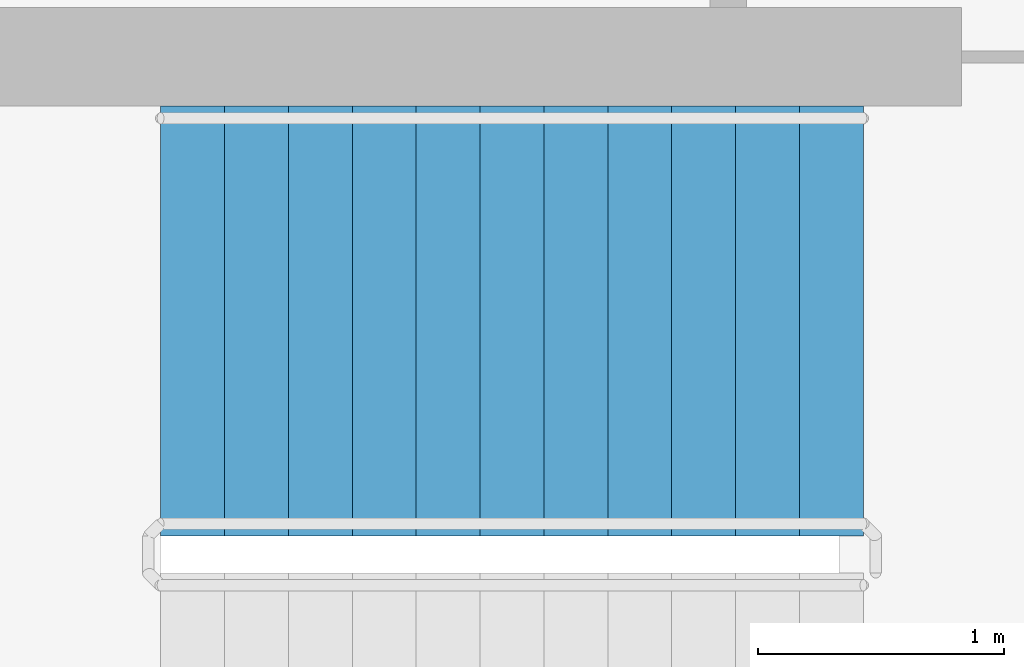
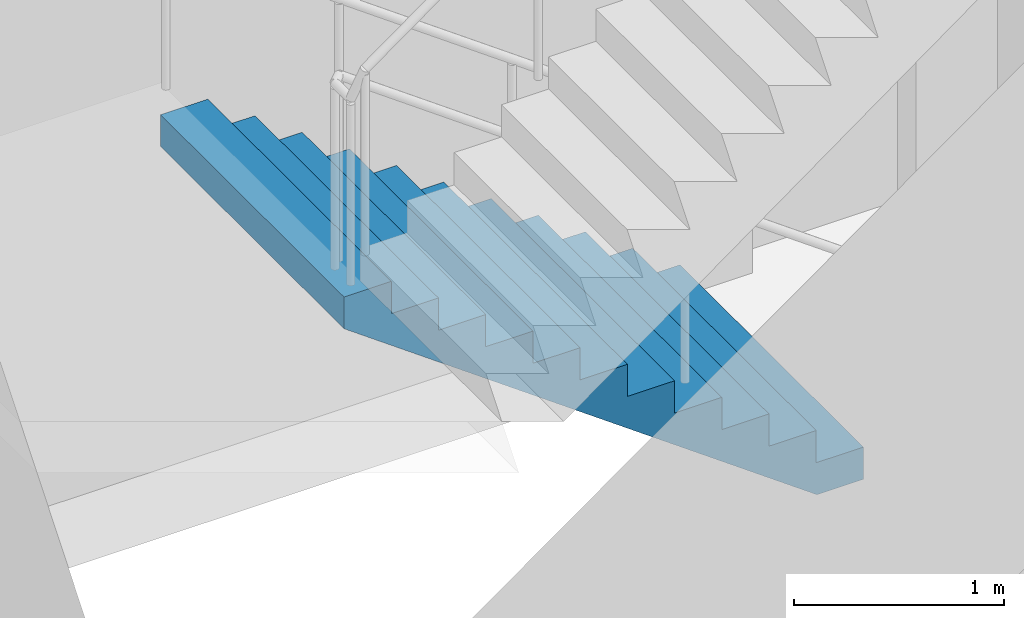
# One storey, part 32 of 51: 1 stair flight, 1 element without a shape of its own.
"""IFC4 building model written with IfcOpenShell, lengths in metres."""

import ifcopenshell
import ifcopenshell.guid

model = None  # the IFC model being written
_history = None  # IfcOwnerHistory: only IFC2X3 demands one
_inside = {}  # id of a spatial element -> (the spatial element, [elements in it])
_under = {}  # id of a project, library or spatial element -> (it, [spatial elements below it])
_declared = {}  # id of a project -> (the project, [libraries it declares])
_typed = {}  # id of a type object -> (the type object, [elements of that type])
_made_of = {}  # id of a material, layer set ... -> (it, [elements and type objects made of it])


def new_model(schema):
    """Start an empty IFC model of exactly this schema.

    Asked for "IFC4X3", IfcOpenShell would pick the latest addendum, in which some entities
    have other attributes; the version numbers below select the first issue.
    IFC2X3 requires an IfcOwnerHistory on every rooted entity: one is made here for all.
    """
    global model, _history
    if schema == "IFC4X3":
        model = ifcopenshell.file(schema_version=(4, 3, 0, 0))
    else:
        model = ifcopenshell.file(schema=schema)
    _inside.clear()
    _under.clear()
    _declared.clear()
    _typed.clear()
    _made_of.clear()
    _history = None
    if model.schema == "IFC2X3":
        org = make("IfcOrganization", Name="unknown")
        user = make(
            "IfcPersonAndOrganization",
            ThePerson=make("IfcPerson", FamilyName="unknown"),
            TheOrganization=org,
        )
        app = make(
            "IfcApplication",
            ApplicationDeveloper=org,
            Version="unknown",
            ApplicationFullName="unknown",
            ApplicationIdentifier="unknown",
        )
        _history = make(
            "IfcOwnerHistory",
            OwningUser=user,
            OwningApplication=app,
            ChangeAction="ADDED",
            CreationDate=0,
        )
    return model


def make(cls, **values):
    """One entity of the class cls with the attributes given. An attribute that is None is left unset."""
    return model.create_entity(
        cls, **{name: value for name, value in values.items() if value is not None}
    )


def rooted(cls, **values):
    """An entity with a GlobalId (a new one), such as an element, a storey or a relation."""
    return make(cls, GlobalId=ifcopenshell.guid.new(), OwnerHistory=_history, **values)


def si_unit(unit_type, name, prefix=None):
    """IfcSIUnit, for example si_unit("LENGTHUNIT", "METRE", prefix="MILLI")."""
    return make("IfcSIUnit", UnitType=unit_type, Prefix=prefix, Name=name)


def assignment(units):
    """IfcUnitAssignment: the units of a project."""
    return None if units is None else make("IfcUnitAssignment", Units=units)


def point(xyz):
    """IfcCartesianPoint."""
    return None if xyz is None else make("IfcCartesianPoint", Coordinates=xyz)


def direction(xyz):
    """IfcDirection."""
    return None if xyz is None else make("IfcDirection", DirectionRatios=xyz)


def frame(location, z_axis=None, x_axis=None):
    """IfcAxis2Placement3D, a coordinate frame: its origin and axes. An axis left out is left unset."""
    return make(
        "IfcAxis2Placement3D",
        Location=point(location),
        Axis=direction(z_axis),
        RefDirection=direction(x_axis),
    )


def origin():
    """The frame at (0, 0, 0) with its axes left unset."""
    return frame((0.0, 0.0, 0.0))


def place(relative_to, where):
    """IfcLocalPlacement: puts the frame where relative to a parent placement (None: the world)."""
    return make(
        "IfcLocalPlacement", PlacementRelTo=relative_to, RelativePlacement=where
    )


def context(
    kind, dimensions, precision=None, world=None, true_north=None, identifier=None
):
    """IfcGeometricRepresentationContext, for example the 3D "Model" context."""
    return make(
        "IfcGeometricRepresentationContext",
        ContextIdentifier=identifier,
        ContextType=kind,
        CoordinateSpaceDimension=dimensions,
        Precision=precision,
        WorldCoordinateSystem=world,
        TrueNorth=true_north,
    )


def subcontext(parent, identifier, kind, view, scale=None):
    """IfcGeometricRepresentationSubContext, for example "Body" below "Model"."""
    return make(
        "IfcGeometricRepresentationSubContext",
        ContextIdentifier=identifier,
        ContextType=kind,
        ParentContext=parent,
        TargetScale=scale,
        TargetView=view,
    )


def project(units=None, contexts=None):
    """IfcProject with its units and contexts."""
    return rooted(
        "IfcProject",
        Name="project",
        RepresentationContexts=contexts,
        UnitsInContext=assignment(units),
    )


def spatial(cls, under=None, at=None, **own):
    """A site, building, storey or space (cls), placed at a placement, below another one or the project."""
    s = rooted(cls, ObjectPlacement=at, **own)
    if under is not None:
        _under.setdefault(under.id(), (under, []))[1].append(s)
    return s


def faces_of(points, faces, orient=None, outer=None):
    """IfcFace entities. A face is a list of loops; a loop is a list of indices into points, from 0.

    orient and outer hold one flag for each loop. By default every Orientation is true, the
    first loop of a face is its IfcFaceOuterBound and the others are IfcFaceBound.
    """
    made = []
    for i, loops in enumerate(faces):
        bounds = []
        for j, loop in enumerate(loops):
            is_outer = j == 0 if outer is None else outer[i][j]
            bounds.append(
                make(
                    "IfcFaceOuterBound" if is_outer else "IfcFaceBound",
                    Bound=make("IfcPolyLoop", Polygon=[points[k] for k in loop]),
                    Orientation=True if orient is None else orient[i][j],
                )
            )
        made.append(make("IfcFace", Bounds=bounds))
    return made


def faceted_brep(points, faces, orient=None, outer=None, voids=None):
    """IfcFacetedBrep: a solid bounded by flat faces; with voids (closed shells), ...WithVoids."""
    shared = [point(p) for p in points]
    hull = make("IfcClosedShell", CfsFaces=faces_of(shared, faces, orient, outer))
    if voids is None:
        return make("IfcFacetedBrep", Outer=hull)
    return make(
        "IfcFacetedBrepWithVoids",
        Outer=hull,
        Voids=[
            make(cls, CfsFaces=faces_of(shared, fs, o, b)) for cls, fs, o, b in voids
        ],
    )


def shape(context_of_items, identifier, shape_type, items):
    """IfcShapeRepresentation: the items that make up one representation, for example the "Body"."""
    return make(
        "IfcShapeRepresentation",
        ContextOfItems=context_of_items,
        RepresentationIdentifier=identifier,
        RepresentationType=shape_type,
        Items=items,
    )


def material(Name=None, Category=None):
    """IfcMaterial."""
    return make("IfcMaterial", Name=Name, Category=Category)


def made_of(thing, what):
    """Note that an element or type object is made of a material, layer set ...; save() writes the relation."""
    if what is not None:
        _made_of.setdefault(what.id(), (what, []))[1].append(thing)
    return thing


def type_object(cls, material=None, **own):
    """A type object (cls), such as IfcWallType, which elements share."""
    return made_of(rooted(cls, **own), material)


def element(
    cls,
    number,
    at=None,
    inside=None,
    cuts=None,
    type_object=None,
    material=None,
    context=None,
    identifier="Body",
    shape_type=None,
    held_by="IfcProductDefinitionShape",
    body=None,
    shapes=None,
    **own,
):
    """One element of the class cls, such as IfcWall. Its Tag is "e" and its number.

    at: its placement. inside: the storey or other place that contains it. cuts: it is an
    opening in that element (IfcRelVoidsElement). A single representation is given by context,
    identifier, shape_type and body (its items); several are given by shapes. held_by: the class
    of the entity that holds the representations. save() writes the other relations.
    """
    e = rooted(cls, Tag="e%d" % number, ObjectPlacement=at, **own)
    if body is not None:
        shapes = [shape(context, identifier, shape_type, body)]
    if shapes is not None:
        e.Representation = make(held_by, Representations=shapes)
    if inside is not None:
        _inside.setdefault(inside.id(), (inside, []))[1].append(e)
    if cuts is not None:
        rooted(
            "IfcRelVoidsElement", RelatingBuildingElement=cuts, RelatedOpeningElement=e
        )
    if type_object is not None:
        _typed.setdefault(type_object.id(), (type_object, []))[1].append(e)
    return made_of(e, material)


def aggregate(whole, parts):
    """IfcRelAggregates: a whole, such as a stair, and the parts it consists of."""
    return rooted("IfcRelAggregates", RelatingObject=whole, RelatedObjects=parts)


def save(model, path):
    """Write the relations noted so far, then the file.

    IfcRelAggregates (storeys below a building ...), IfcRelContainedInSpatialStructure (elements
    in a storey), IfcRelDefinesByType, IfcRelAssociatesMaterial and IfcRelDeclares: one each for
    every whole, place, type object, material and project.
    """
    for whole, parts in _under.values():
        aggregate(whole, parts)
    for where, things in _inside.values():
        rooted(
            "IfcRelContainedInSpatialStructure",
            RelatedElements=things,
            RelatingStructure=where,
        )
    for kind, things in _typed.values():
        rooted("IfcRelDefinesByType", RelatedObjects=things, RelatingType=kind)
    for what, things in _made_of.values():
        rooted("IfcRelAssociatesMaterial", RelatedObjects=things, RelatingMaterial=what)
    for by, libraries in _declared.values():
        rooted("IfcRelDeclares", RelatingContext=by, RelatedDefinitions=libraries)
    model.write(path)


model = new_model("IFC4")

# Units and contexts
model_context = context("Model", 3, precision=1e-05, world=origin(), true_north=direction((0.0, 1.0)))
body_context = subcontext(model_context, "Body", "Model", "MODEL_VIEW")
ifc_project = project(units=[si_unit("LENGTHUNIT", "METRE"), si_unit("AREAUNIT", "SQUARE_METRE"), si_unit("VOLUMEUNIT", "CUBIC_METRE"), si_unit("PLANEANGLEUNIT", "RADIAN"), si_unit("MASSUNIT", "GRAM", prefix="KILO")], contexts=[model_context])

# Site, building, storey
site_placement = place(None, origin())
site = spatial("IfcSite", under=ifc_project, at=site_placement, CompositionType="ELEMENT")
building_placement = place(site_placement, origin())
building = spatial("IfcBuilding", under=site, at=building_placement, Name="Ipe Terrace Towers", CompositionType="ELEMENT")
storey_placement = place(building_placement, frame((0.0, 0.0, 15.5)))
storey = spatial("IfcBuildingStorey", under=building, at=storey_placement, Name="L03", CompositionType="ELEMENT", Elevation=15.5)

# Stair, stair flight
ifc_material_1 = material(Name="Concrete C30/37", Category="concrete")
stair_type = type_object("IfcStairType", Name="Protected exit stair", PredefinedType="HALF_TURN_STAIR", material=ifc_material_1)
stair_placement = place(storey_placement, origin())
stair = element("IfcStair", 1, at=stair_placement, inside=storey, type_object=stair_type, Name="L03 Exit stair T1-C2", PredefinedType="HALF_TURN_STAIR")
ifc_material_2 = material(Name="Concrete C30/37", Category="concrete")
stair_flight_type = type_object("IfcStairFlightType", Name="Exit stair flight 1750", PredefinedType="STRAIGHT", material=ifc_material_2)
stair_flight_placement = place(storey_placement, frame((-45.699951171875, -2.77490234375, 0.0), z_axis=(0.0, 0.0, 1.0), x_axis=(-1.0, 0.0, 0.0)))
stair_flight = element("IfcStairFlight", 2, at=stair_flight_placement, type_object=stair_flight_type, Name="T1-ST2 flight 1", NumberOfRisers=12, NumberOfTreads=11, PredefinedType="STRAIGHT", RiserHeight=0.1875, TreadLength=0.26, context=body_context, shape_type="Brep", body=[
    faceted_brep([(0.25634765625, -0.875, 0.0), (2.860107421875, -0.875, 1.877685546875), (2.860107421875, -0.875, 2.0625), (2.60009765625, -0.875, 2.0625), (2.60009765625, -0.875, 1.875), (2.340087890625, -0.875, 1.875), (2.340087890625, -0.875, 1.6875), (2.080078125, -0.875, 1.6875), (2.080078125, -0.875, 1.5), (1.820068359375, -0.875, 1.5), (1.820068359375, -0.875, 1.3125), (1.56005859375, -0.875, 1.3125), (1.56005859375, -0.875, 1.125), (1.300048828125, -0.875, 1.125), (1.300048828125, -0.875, 0.9375), (1.0400390625, -0.875, 0.9375), (1.0400390625, -0.875, 0.75), (0.780029296875, -0.875, 0.75), (0.780029296875, -0.875, 0.5625), (0.52001953125, -0.875, 0.5625), (0.52001953125, -0.875, 0.375), (0.260009765625, -0.875, 0.375), (0.260009765625, -0.875, 0.1875), (0.0, -0.875, 0.1875), (0.0, -0.875, 0.0), (0.0, 0.875, 0.0), (0.0, 0.875, 0.1875), (0.260009765625, 0.875, 0.1875), (0.260009765625, 0.875, 0.375), (0.52001953125, 0.875, 0.375), (0.52001953125, 0.875, 0.5625), (0.780029296875, 0.875, 0.5625), (0.780029296875, 0.875, 0.75), (1.0400390625, 0.875, 0.75), (1.0400390625, 0.875, 0.9375), (1.300048828125, 0.875, 0.9375), (1.300048828125, 0.875, 1.125), (1.56005859375, 0.875, 1.125), (1.56005859375, 0.875, 1.3125), (1.820068359375, 0.875, 1.3125), (1.820068359375, 0.875, 1.5), (2.080078125, 0.875, 1.5), (2.080078125, 0.875, 1.6875), (2.340087890625, 0.875, 1.6875), (2.340087890625, 0.875, 1.875), (2.60009765625, 0.875, 1.875), (2.60009765625, 0.875, 2.0625), (2.860107421875, 0.875, 2.0625), (2.860107421875, 0.875, 1.877685546875), (0.25634765625, 0.875, 0.0), (0.0, -0.300048828125, 0.1875), (0.0, -0.1201171875, 0.1875), (0.0, -0.06005859375, 0.1875), (0.0, -0.030029296875, 0.1875), (0.0, -0.010009765625, 0.1875), (0.0, 0.0, 0.1875), (0.0, 0.010009765625, 0.1875), (0.0, 0.030029296875, 0.1875), (0.0, 0.06005859375, 0.1875), (0.0, 0.1201171875, 0.1875), (0.0, 0.300048828125, 0.1875), (0.0, 0.300048828125, 0.0), (0.0, 0.1201171875, 0.0), (0.0, 0.06005859375, 0.0), (0.0, 0.030029296875, 0.0), (0.0, 0.010009765625, 0.0), (0.0, 0.0, 0.0), (0.0, -0.010009765625, 0.0), (0.0, -0.030029296875, 0.0), (0.0, -0.06005859375, 0.0), (0.0, -0.1201171875, 0.0), (0.0, -0.300048828125, 0.0), (0.260009765625, -0.300048828125, 0.1875), (0.260009765625, -0.1201171875, 0.1875), (0.260009765625, -0.06005859375, 0.1875), (0.260009765625, -0.030029296875, 0.1875), (0.260009765625, -0.010009765625, 0.1875), (0.260009765625, 0.0, 0.1875), (0.260009765625, 0.010009765625, 0.1875), (0.260009765625, 0.030029296875, 0.1875), (0.260009765625, 0.06005859375, 0.1875), (0.260009765625, 0.1201171875, 0.1875), (0.260009765625, 0.300048828125, 0.1875), (0.260009765625, -0.300048828125, 0.375), (0.260009765625, -0.1201171875, 0.375), (0.260009765625, -0.06005859375, 0.375), (0.260009765625, -0.030029296875, 0.375), (0.260009765625, -0.010009765625, 0.375), (0.260009765625, 0.0, 0.375), (0.260009765625, 0.010009765625, 0.375), (0.260009765625, 0.030029296875, 0.375), (0.260009765625, 0.06005859375, 0.375), (0.260009765625, 0.1201171875, 0.375), (0.260009765625, 0.300048828125, 0.375), (0.52001953125, -0.300048828125, 0.375), (0.52001953125, -0.1201171875, 0.375), (0.52001953125, -0.06005859375, 0.375), (0.52001953125, -0.030029296875, 0.375), (0.52001953125, -0.010009765625, 0.375), (0.52001953125, 0.0, 0.375), (0.52001953125, 0.010009765625, 0.375), (0.52001953125, 0.030029296875, 0.375), (0.52001953125, 0.06005859375, 0.375), (0.52001953125, 0.1201171875, 0.375), (0.52001953125, 0.300048828125, 0.375), (0.52001953125, -0.300048828125, 0.5625), (0.52001953125, -0.1201171875, 0.5625), (0.52001953125, -0.06005859375, 0.5625), (0.52001953125, -0.030029296875, 0.5625), (0.52001953125, -0.010009765625, 0.5625), (0.52001953125, 0.0, 0.5625), (0.52001953125, 0.010009765625, 0.5625), (0.52001953125, 0.030029296875, 0.5625), (0.52001953125, 0.06005859375, 0.5625), (0.52001953125, 0.1201171875, 0.5625), (0.52001953125, 0.300048828125, 0.5625), (0.780029296875, -0.300048828125, 0.5625), (0.780029296875, -0.1201171875, 0.5625), (0.780029296875, -0.06005859375, 0.5625), (0.780029296875, -0.030029296875, 0.5625), (0.780029296875, -0.010009765625, 0.5625), (0.780029296875, 0.0, 0.5625), (0.780029296875, 0.010009765625, 0.5625), (0.780029296875, 0.030029296875, 0.5625), (0.780029296875, 0.06005859375, 0.5625), (0.780029296875, 0.1201171875, 0.5625), (0.780029296875, 0.300048828125, 0.5625), (0.780029296875, -0.300048828125, 0.75), (0.780029296875, -0.1201171875, 0.75), (0.780029296875, -0.06005859375, 0.75), (0.780029296875, -0.030029296875, 0.75), (0.780029296875, -0.010009765625, 0.75), (0.780029296875, 0.0, 0.75), (0.780029296875, 0.010009765625, 0.75), (0.780029296875, 0.030029296875, 0.75), (0.780029296875, 0.06005859375, 0.75), (0.780029296875, 0.1201171875, 0.75), (0.780029296875, 0.300048828125, 0.75), (1.0400390625, -0.300048828125, 0.75), (1.0400390625, -0.1201171875, 0.75), (1.0400390625, -0.06005859375, 0.75), (1.0400390625, -0.030029296875, 0.75), (1.0400390625, -0.010009765625, 0.75), (1.0400390625, 0.0, 0.75), (1.0400390625, 0.010009765625, 0.75), (1.0400390625, 0.030029296875, 0.75), (1.0400390625, 0.06005859375, 0.75), (1.0400390625, 0.1201171875, 0.75), (1.0400390625, 0.300048828125, 0.75), (1.0400390625, -0.300048828125, 0.9375), (1.0400390625, -0.1201171875, 0.9375), (1.0400390625, -0.06005859375, 0.9375), (1.0400390625, -0.030029296875, 0.9375), (1.0400390625, -0.010009765625, 0.9375), (1.0400390625, 0.0, 0.9375), (1.0400390625, 0.010009765625, 0.9375), (1.0400390625, 0.030029296875, 0.9375), (1.0400390625, 0.06005859375, 0.9375), (1.0400390625, 0.1201171875, 0.9375), (1.0400390625, 0.300048828125, 0.9375), (1.300048828125, -0.300048828125, 0.9375), (1.300048828125, -0.1201171875, 0.9375), (1.300048828125, -0.06005859375, 0.9375), (1.300048828125, -0.030029296875, 0.9375), (1.300048828125, -0.010009765625, 0.9375), (1.300048828125, 0.0, 0.9375), (1.300048828125, 0.010009765625, 0.9375), (1.300048828125, 0.030029296875, 0.9375), (1.300048828125, 0.06005859375, 0.9375), (1.300048828125, 0.1201171875, 0.9375), (1.300048828125, 0.300048828125, 0.9375), (1.300048828125, -0.300048828125, 1.125), (1.300048828125, -0.1201171875, 1.125), (1.300048828125, -0.06005859375, 1.125), (1.300048828125, -0.030029296875, 1.125), (1.300048828125, -0.010009765625, 1.125), (1.300048828125, 0.0, 1.125), (1.300048828125, 0.010009765625, 1.125), (1.300048828125, 0.030029296875, 1.125), (1.300048828125, 0.06005859375, 1.125), (1.300048828125, 0.1201171875, 1.125), (1.300048828125, 0.300048828125, 1.125), (1.56005859375, -0.300048828125, 1.125), (1.56005859375, -0.1201171875, 1.125), (1.56005859375, -0.06005859375, 1.125), (1.56005859375, -0.030029296875, 1.125), (1.56005859375, -0.010009765625, 1.125), (1.56005859375, 0.0, 1.125), (1.56005859375, 0.010009765625, 1.125), (1.56005859375, 0.030029296875, 1.125), (1.56005859375, 0.06005859375, 1.125), (1.56005859375, 0.1201171875, 1.125), (1.56005859375, 0.300048828125, 1.125), (1.56005859375, -0.300048828125, 1.3125), (1.56005859375, -0.1201171875, 1.3125), (1.56005859375, -0.06005859375, 1.3125), (1.56005859375, -0.030029296875, 1.3125), (1.56005859375, -0.010009765625, 1.3125), (1.56005859375, 0.0, 1.3125), (1.56005859375, 0.010009765625, 1.3125), (1.56005859375, 0.030029296875, 1.3125), (1.56005859375, 0.06005859375, 1.3125), (1.56005859375, 0.1201171875, 1.3125), (1.56005859375, 0.300048828125, 1.3125), (1.820068359375, -0.300048828125, 1.3125), (1.820068359375, -0.1201171875, 1.3125), (1.820068359375, -0.06005859375, 1.3125), (1.820068359375, -0.030029296875, 1.3125), (1.820068359375, -0.010009765625, 1.3125), (1.820068359375, 0.0, 1.3125), (1.820068359375, 0.010009765625, 1.3125), (1.820068359375, 0.030029296875, 1.3125), (1.820068359375, 0.06005859375, 1.3125), (1.820068359375, 0.1201171875, 1.3125), (1.820068359375, 0.300048828125, 1.3125), (1.820068359375, -0.300048828125, 1.5), (1.820068359375, -0.1201171875, 1.5), (1.820068359375, -0.06005859375, 1.5), (1.820068359375, -0.030029296875, 1.5), (1.820068359375, -0.010009765625, 1.5), (1.820068359375, 0.0, 1.5), (1.820068359375, 0.010009765625, 1.5), (1.820068359375, 0.030029296875, 1.5), (1.820068359375, 0.06005859375, 1.5), (1.820068359375, 0.1201171875, 1.5), (1.820068359375, 0.300048828125, 1.5), (2.080078125, -0.300048828125, 1.5), (2.080078125, -0.1201171875, 1.5), (2.080078125, -0.06005859375, 1.5), (2.080078125, -0.030029296875, 1.5), (2.080078125, -0.010009765625, 1.5), (2.080078125, 0.0, 1.5), (2.080078125, 0.010009765625, 1.5), (2.080078125, 0.030029296875, 1.5), (2.080078125, 0.06005859375, 1.5), (2.080078125, 0.1201171875, 1.5), (2.080078125, 0.300048828125, 1.5), (2.080078125, -0.300048828125, 1.6875), (2.080078125, -0.1201171875, 1.6875), (2.080078125, -0.06005859375, 1.6875), (2.080078125, -0.030029296875, 1.6875), (2.080078125, -0.010009765625, 1.6875), (2.080078125, 0.0, 1.6875), (2.080078125, 0.010009765625, 1.6875), (2.080078125, 0.030029296875, 1.6875), (2.080078125, 0.06005859375, 1.6875), (2.080078125, 0.1201171875, 1.6875), (2.080078125, 0.300048828125, 1.6875), (2.340087890625, -0.300048828125, 1.6875), (2.340087890625, -0.1201171875, 1.6875), (2.340087890625, -0.06005859375, 1.6875), (2.340087890625, -0.030029296875, 1.6875), (2.340087890625, -0.010009765625, 1.6875), (2.340087890625, 0.0, 1.6875), (2.340087890625, 0.010009765625, 1.6875), (2.340087890625, 0.030029296875, 1.6875), (2.340087890625, 0.06005859375, 1.6875), (2.340087890625, 0.1201171875, 1.6875), (2.340087890625, 0.300048828125, 1.6875), (2.340087890625, -0.300048828125, 1.875), (2.340087890625, -0.1201171875, 1.875), (2.340087890625, -0.06005859375, 1.875), (2.340087890625, -0.030029296875, 1.875), (2.340087890625, -0.010009765625, 1.875), (2.340087890625, 0.0, 1.875), (2.340087890625, 0.010009765625, 1.875), (2.340087890625, 0.030029296875, 1.875), (2.340087890625, 0.06005859375, 1.875), (2.340087890625, 0.1201171875, 1.875), (2.340087890625, 0.300048828125, 1.875), (2.60009765625, -0.300048828125, 1.875), (2.60009765625, -0.1201171875, 1.875), (2.60009765625, -0.06005859375, 1.875), (2.60009765625, -0.030029296875, 1.875), (2.60009765625, -0.010009765625, 1.875), (2.60009765625, 0.0, 1.875), (2.60009765625, 0.010009765625, 1.875), (2.60009765625, 0.030029296875, 1.875), (2.60009765625, 0.06005859375, 1.875), (2.60009765625, 0.1201171875, 1.875), (2.60009765625, 0.300048828125, 1.875), (2.60009765625, -0.300048828125, 2.0625), (2.60009765625, -0.1201171875, 2.0625), (2.60009765625, -0.06005859375, 2.0625), (2.60009765625, -0.030029296875, 2.0625), (2.60009765625, -0.010009765625, 2.0625), (2.60009765625, 0.0, 2.0625), (2.60009765625, 0.010009765625, 2.0625), (2.60009765625, 0.030029296875, 2.0625), (2.60009765625, 0.06005859375, 2.0625), (2.60009765625, 0.1201171875, 2.0625), (2.60009765625, 0.300048828125, 2.0625), (2.860107421875, -0.300048828125, 2.0625), (2.860107421875, -0.1201171875, 2.0625), (2.860107421875, -0.06005859375, 2.0625), (2.860107421875, -0.030029296875, 2.0625), (2.860107421875, -0.010009765625, 2.0625), (2.860107421875, 0.0, 2.0625), (2.860107421875, 0.010009765625, 2.0625), (2.860107421875, 0.030029296875, 2.0625), (2.860107421875, 0.06005859375, 2.0625), (2.860107421875, 0.1201171875, 2.0625), (2.860107421875, 0.300048828125, 2.0625), (2.860107421875, -0.300048828125, 1.877685546875), (2.860107421875, -0.1201171875, 1.877685546875), (2.860107421875, -0.06005859375, 1.877685546875), (2.860107421875, -0.030029296875, 1.877685546875), (2.860107421875, -0.010009765625, 1.877685546875), (2.860107421875, 0.0, 1.877685546875), (2.860107421875, 0.010009765625, 1.877685546875), (2.860107421875, 0.030029296875, 1.877685546875), (2.860107421875, 0.06005859375, 1.877685546875), (2.860107421875, 0.1201171875, 1.877685546875), (2.860107421875, 0.300048828125, 1.877685546875), (0.25634765625, -0.300048828125, 0.0), (0.25634765625, -0.1201171875, 0.0), (0.25634765625, -0.06005859375, 0.0), (0.25634765625, -0.030029296875, 0.0), (0.25634765625, -0.010009765625, 0.0), (0.25634765625, 0.0, 0.0), (0.25634765625, 0.010009765625, 0.0), (0.25634765625, 0.030029296875, 0.0), (0.25634765625, 0.06005859375, 0.0), (0.25634765625, 0.1201171875, 0.0), (0.25634765625, 0.300048828125, 0.0)], [[[0, 1, 2, 3, 4, 5, 6, 7, 8, 9, 10, 11, 12, 13, 14, 15, 16, 17, 18, 19, 20, 21, 22, 23, 24]], [[25, 26, 27, 28, 29, 30, 31, 32, 33, 34, 35, 36, 37, 38, 39, 40, 41, 42, 43, 44, 45, 46, 47, 48, 49]], [[23, 50, 51, 52, 53, 54, 55, 56, 57, 58, 59, 60, 26, 25, 61, 62, 63, 64, 65, 66, 67, 68, 69, 70, 71, 24]], [[22, 72, 73, 74, 75, 76, 77, 78, 79, 80, 81, 82, 27, 26, 60, 59, 58, 57, 56, 55, 54, 53, 52, 51, 50, 23]], [[21, 83, 84, 85, 86, 87, 88, 89, 90, 91, 92, 93, 28, 27, 82, 81, 80, 79, 78, 77, 76, 75, 74, 73, 72, 22]], [[20, 94, 95, 96, 97, 98, 99, 100, 101, 102, 103, 104, 29, 28, 93, 92, 91, 90, 89, 88, 87, 86, 85, 84, 83, 21]], [[19, 105, 106, 107, 108, 109, 110, 111, 112, 113, 114, 115, 30, 29, 104, 103, 102, 101, 100, 99, 98, 97, 96, 95, 94, 20]], [[18, 116, 117, 118, 119, 120, 121, 122, 123, 124, 125, 126, 31, 30, 115, 114, 113, 112, 111, 110, 109, 108, 107, 106, 105, 19]], [[17, 127, 128, 129, 130, 131, 132, 133, 134, 135, 136, 137, 32, 31, 126, 125, 124, 123, 122, 121, 120, 119, 118, 117, 116, 18]], [[16, 138, 139, 140, 141, 142, 143, 144, 145, 146, 147, 148, 33, 32, 137, 136, 135, 134, 133, 132, 131, 130, 129, 128, 127, 17]], [[15, 149, 150, 151, 152, 153, 154, 155, 156, 157, 158, 159, 34, 33, 148, 147, 146, 145, 144, 143, 142, 141, 140, 139, 138, 16]], [[14, 160, 161, 162, 163, 164, 165, 166, 167, 168, 169, 170, 35, 34, 159, 158, 157, 156, 155, 154, 153, 152, 151, 150, 149, 15]], [[13, 171, 172, 173, 174, 175, 176, 177, 178, 179, 180, 181, 36, 35, 170, 169, 168, 167, 166, 165, 164, 163, 162, 161, 160, 14]], [[12, 182, 183, 184, 185, 186, 187, 188, 189, 190, 191, 192, 37, 36, 181, 180, 179, 178, 177, 176, 175, 174, 173, 172, 171, 13]], [[11, 193, 194, 195, 196, 197, 198, 199, 200, 201, 202, 203, 38, 37, 192, 191, 190, 189, 188, 187, 186, 185, 184, 183, 182, 12]], [[10, 204, 205, 206, 207, 208, 209, 210, 211, 212, 213, 214, 39, 38, 203, 202, 201, 200, 199, 198, 197, 196, 195, 194, 193, 11]], [[9, 215, 216, 217, 218, 219, 220, 221, 222, 223, 224, 225, 40, 39, 214, 213, 212, 211, 210, 209, 208, 207, 206, 205, 204, 10]], [[8, 226, 227, 228, 229, 230, 231, 232, 233, 234, 235, 236, 41, 40, 225, 224, 223, 222, 221, 220, 219, 218, 217, 216, 215, 9]], [[7, 237, 238, 239, 240, 241, 242, 243, 244, 245, 246, 247, 42, 41, 236, 235, 234, 233, 232, 231, 230, 229, 228, 227, 226, 8]], [[6, 248, 249, 250, 251, 252, 253, 254, 255, 256, 257, 258, 43, 42, 247, 246, 245, 244, 243, 242, 241, 240, 239, 238, 237, 7]], [[5, 259, 260, 261, 262, 263, 264, 265, 266, 267, 268, 269, 44, 43, 258, 257, 256, 255, 254, 253, 252, 251, 250, 249, 248, 6]], [[4, 270, 271, 272, 273, 274, 275, 276, 277, 278, 279, 280, 45, 44, 269, 268, 267, 266, 265, 264, 263, 262, 261, 260, 259, 5]], [[3, 281, 282, 283, 284, 285, 286, 287, 288, 289, 290, 291, 46, 45, 280, 279, 278, 277, 276, 275, 274, 273, 272, 271, 270, 4]], [[2, 292, 293, 294, 295, 296, 297, 298, 299, 300, 301, 302, 47, 46, 291, 290, 289, 288, 287, 286, 285, 284, 283, 282, 281, 3]], [[1, 303, 304, 305, 306, 307, 308, 309, 310, 311, 312, 313, 48, 47, 302, 301, 300, 299, 298, 297, 296, 295, 294, 293, 292, 2]], [[0, 314, 315, 316, 317, 318, 319, 320, 321, 322, 323, 324, 49, 48, 313, 312, 311, 310, 309, 308, 307, 306, 305, 304, 303, 1]], [[24, 71, 70, 69, 68, 67, 66, 65, 64, 63, 62, 61, 25, 49, 324, 323, 322, 321, 320, 319, 318, 317, 316, 315, 314, 0]]]),
])
aggregate(stair, [stair_flight])

save(model, "model.ifc")
